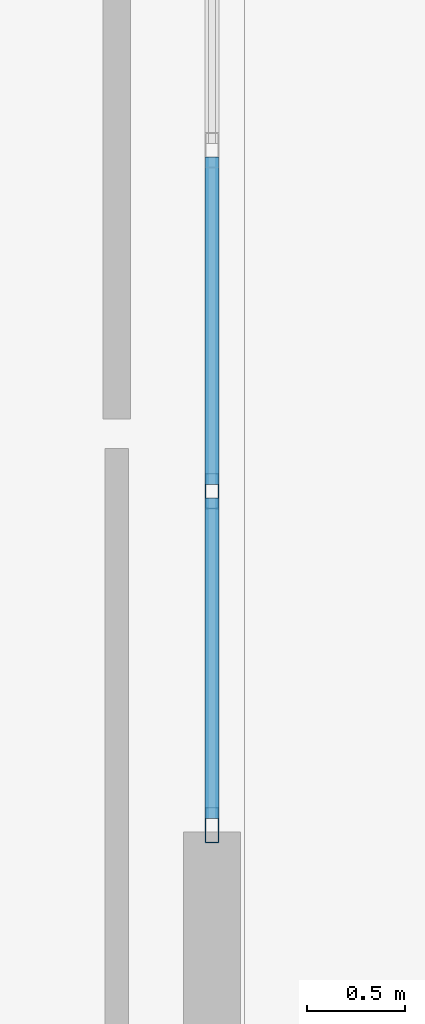
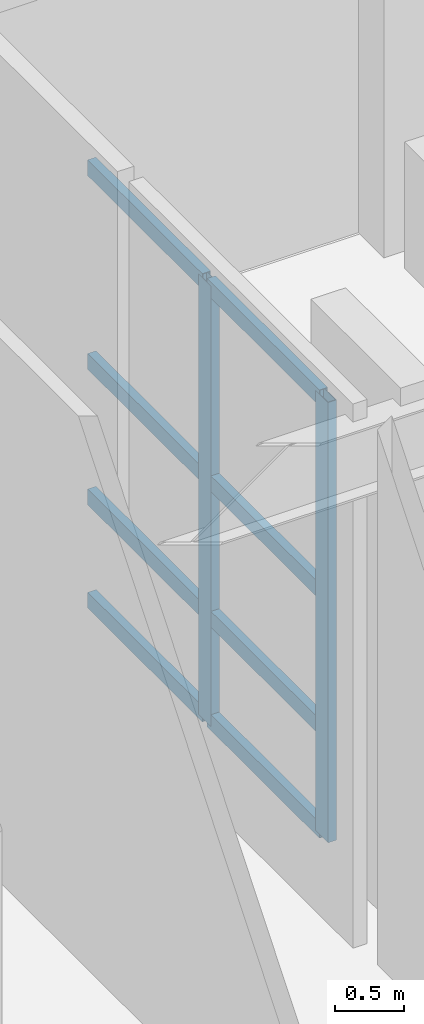
# One storey, part 13 of 78: 10 members, 1 element without a shape of its own.
"""IFC4 building model written with IfcOpenShell, lengths in metres."""

from ifc_helpers import new_model, si_unit, direction, frame, origin, origin_2d, place, context, subcontext, project, spatial, hollow_rectangle, extrude, material, layer, layer_set, material_profile, profile_set, type_object, element, aggregate, save


model = new_model("IFC4")

# Units and contexts
model_context = context("Model", 3, precision=1e-05, world=origin(), true_north=direction((0.0, 1.0)))
body_context = subcontext(model_context, "Body", "Model", "MODEL_VIEW")
ifc_project = project(units=[si_unit("LENGTHUNIT", "METRE"), si_unit("AREAUNIT", "SQUARE_METRE"), si_unit("VOLUMEUNIT", "CUBIC_METRE"), si_unit("PLANEANGLEUNIT", "RADIAN"), si_unit("MASSUNIT", "GRAM", prefix="KILO")], contexts=[model_context])

# Site, building, storey
site_placement = place(None, origin())
site = spatial("IfcSite", under=ifc_project, at=site_placement, CompositionType="ELEMENT")
building_placement = place(site_placement, origin())
building = spatial("IfcBuilding", under=site, at=building_placement, Name="Quendrovan Civic Courthouse", CompositionType="ELEMENT")
storey_placement = place(building_placement, frame((0.0, 0.0, 10.199951171875)))
storey = spatial("IfcBuildingStorey", under=building, at=storey_placement, Name="L03", CompositionType="ELEMENT", Elevation=10.199951171875)

# Curtain wall, members
ifc_material_1 = material(Name="Bronze anodised aluminium and low-E glass", Category="aluminium")
ifc_layer = layer(ifc_material_1, 0.179931640625, Name="Bronze anodised aluminium and low-E glass")
ifc_layer_set = layer_set([ifc_layer], Name="Bronze anodised aluminium and low-E glass")
curtain_wall_type = type_object("IfcCurtainWallType", Name="CW-U52x39", PredefinedType="USERDEFINED", material=ifc_layer_set)
curtain_wall_placement = place(storey_placement, origin())
curtain_wall = element("IfcCurtainWall", 1, at=curtain_wall_placement, inside=storey, type_object=curtain_wall_type, Name="L03 Unitised Hurricane Curtain Wall CW-126", ObjectType="UNITISED CURTAIN WALL", PredefinedType="USERDEFINED")
ifc_material_2 = material(Name="Bronze anodised aluminium", Category="aluminium")
ifc_material_profile_1 = material_profile(ifc_material_2, hollow_rectangle(XDim=0.070068359375, YDim=0.179931640625, WallThickness=0.00390625, at=origin_2d()), Name="CW-MULL-70x180")
ifc_profile_set_1 = profile_set([ifc_material_profile_1], Name="Bronze anodised aluminium")
member_type_1 = type_object("IfcMemberType", Name="CW-MULL-A", PredefinedType="MULLION", material=ifc_profile_set_1)
member_1_placement = place(storey_placement, frame((12.43505859375, 26.433349609375, 0.0), z_axis=(0.0, 0.0, 1.0), x_axis=(1.0, 0.0, 0.0)))
member_1 = element("IfcMember", 2, at=member_1_placement, type_object=member_type_1, Name="CW-126 mullion 3", PredefinedType="MULLION", context=body_context, shape_type="SweptSolid", body=[
    extrude(hollow_rectangle(XDim=0.070068359375, YDim=0.179931640625, WallThickness=0.00390625, at=origin_2d()), origin(), (0.0, 0.0, 1.0), 3.900146484375),
])
member_2_placement = place(storey_placement, frame((12.43505859375, 24.735107421875, 0.0), z_axis=(0.0, 0.0, 1.0), x_axis=(1.0, 0.0, 0.0)))
member_2 = element("IfcMember", 3, at=member_2_placement, type_object=member_type_1, Name="CW-126 mullion 4", PredefinedType="MULLION", context=body_context, shape_type="SweptSolid", body=[
    extrude(hollow_rectangle(XDim=0.070068359375, YDim=0.179931640625, WallThickness=0.00390625, at=origin_2d()), origin(), (0.0, 0.0, 1.0), 3.900146484375),
])
ifc_material_profile_2 = material_profile(ifc_material_2, hollow_rectangle(XDim=0.070068359375, YDim=0.139892578125, WallThickness=0.00390625, at=origin_2d()), Name="CW-TRAN-70x140")
ifc_profile_set_2 = profile_set([ifc_material_profile_2], Name="Bronze anodised aluminium")
member_type_2 = type_object("IfcMemberType", Name="CW-TRAN-A", PredefinedType="USERDEFINED", material=ifc_profile_set_2)
member_3_placement = place(storey_placement, frame((12.43505859375, 28.131591796875, 0.03515625), z_axis=(0.0, -1.0, 0.0), x_axis=(1.0, 0.0, 0.0)))
member_3 = element("IfcMember", 4, at=member_3_placement, type_object=member_type_2, Name="CW-126 transom 2.1", ObjectType="TRANSOM", PredefinedType="USERDEFINED", context=body_context, shape_type="SweptSolid", body=[
    extrude(hollow_rectangle(XDim=0.070068359375, YDim=0.139892578125, WallThickness=0.00390625, at=origin_2d()), origin(), (0.0, 0.0, 1.0), 1.663330078125),
])
member_4_placement = place(storey_placement, frame((12.43505859375, 28.131591796875, 0.949951171875), z_axis=(0.0, -1.0, 0.0), x_axis=(1.0, 0.0, 0.0)))
member_4 = element("IfcMember", 5, at=member_4_placement, type_object=member_type_2, Name="CW-126 transom 2.2", ObjectType="TRANSOM", PredefinedType="USERDEFINED", context=body_context, shape_type="SweptSolid", body=[
    extrude(hollow_rectangle(XDim=0.070068359375, YDim=0.139892578125, WallThickness=0.00390625, at=origin_2d()), origin(), (0.0, 0.0, 1.0), 1.663330078125),
])
member_5_placement = place(storey_placement, frame((12.43505859375, 28.131591796875, 2.150146484375), z_axis=(0.0, -1.0, 0.0), x_axis=(1.0, 0.0, 0.0)))
member_5 = element("IfcMember", 6, at=member_5_placement, type_object=member_type_2, Name="CW-126 transom 2.3", ObjectType="TRANSOM", PredefinedType="USERDEFINED", context=body_context, shape_type="SweptSolid", body=[
    extrude(hollow_rectangle(XDim=0.070068359375, YDim=0.139892578125, WallThickness=0.00390625, at=origin_2d()), origin(), (0.0, 0.0, 1.0), 1.663330078125),
])
member_6_placement = place(storey_placement, frame((12.43505859375, 28.131591796875, 3.864990234375), z_axis=(0.0, -1.0, 0.0), x_axis=(1.0, 0.0, 0.0)))
member_6 = element("IfcMember", 7, at=member_6_placement, type_object=member_type_2, Name="CW-126 transom 2.4", ObjectType="TRANSOM", PredefinedType="USERDEFINED", context=body_context, shape_type="SweptSolid", body=[
    extrude(hollow_rectangle(XDim=0.070068359375, YDim=0.139892578125, WallThickness=0.00390625, at=origin_2d()), origin(), (0.0, 0.0, 1.0), 1.663330078125),
])
member_7_placement = place(storey_placement, frame((12.43505859375, 26.3984375, 0.03515625), z_axis=(0.0, -1.0, 0.0), x_axis=(1.0, 0.0, 0.0)))
member_7 = element("IfcMember", 8, at=member_7_placement, type_object=member_type_2, Name="CW-126 transom 3.1", ObjectType="TRANSOM", PredefinedType="USERDEFINED", context=body_context, shape_type="SweptSolid", body=[
    extrude(hollow_rectangle(XDim=0.070068359375, YDim=0.139892578125, WallThickness=0.00390625, at=origin_2d()), origin(), (0.0, 0.0, 1.0), 1.62841796875),
])
member_8_placement = place(storey_placement, frame((12.43505859375, 26.3984375, 0.949951171875), z_axis=(0.0, -1.0, 0.0), x_axis=(1.0, 0.0, 0.0)))
member_8 = element("IfcMember", 9, at=member_8_placement, type_object=member_type_2, Name="CW-126 transom 3.2", ObjectType="TRANSOM", PredefinedType="USERDEFINED", context=body_context, shape_type="SweptSolid", body=[
    extrude(hollow_rectangle(XDim=0.070068359375, YDim=0.139892578125, WallThickness=0.00390625, at=origin_2d()), origin(), (0.0, 0.0, 1.0), 1.62841796875),
])
member_9_placement = place(storey_placement, frame((12.43505859375, 26.3984375, 2.150146484375), z_axis=(0.0, -1.0, 0.0), x_axis=(1.0, 0.0, 0.0)))
member_9 = element("IfcMember", 10, at=member_9_placement, type_object=member_type_2, Name="CW-126 transom 3.3", ObjectType="TRANSOM", PredefinedType="USERDEFINED", context=body_context, shape_type="SweptSolid", body=[
    extrude(hollow_rectangle(XDim=0.070068359375, YDim=0.139892578125, WallThickness=0.00390625, at=origin_2d()), origin(), (0.0, 0.0, 1.0), 1.62841796875),
])
member_10_placement = place(storey_placement, frame((12.43505859375, 26.3984375, 3.864990234375), z_axis=(0.0, -1.0, 0.0), x_axis=(1.0, 0.0, 0.0)))
member_10 = element("IfcMember", 11, at=member_10_placement, type_object=member_type_2, Name="CW-126 transom 3.4", ObjectType="TRANSOM", PredefinedType="USERDEFINED", context=body_context, shape_type="SweptSolid", body=[
    extrude(hollow_rectangle(XDim=0.070068359375, YDim=0.139892578125, WallThickness=0.00390625, at=origin_2d()), origin(), (0.0, 0.0, 1.0), 1.62841796875),
])
aggregate(curtain_wall, [member_1, member_2, member_3, member_4, member_5, member_6, member_7, member_8, member_9, member_10])

save(model, "model.ifc")
